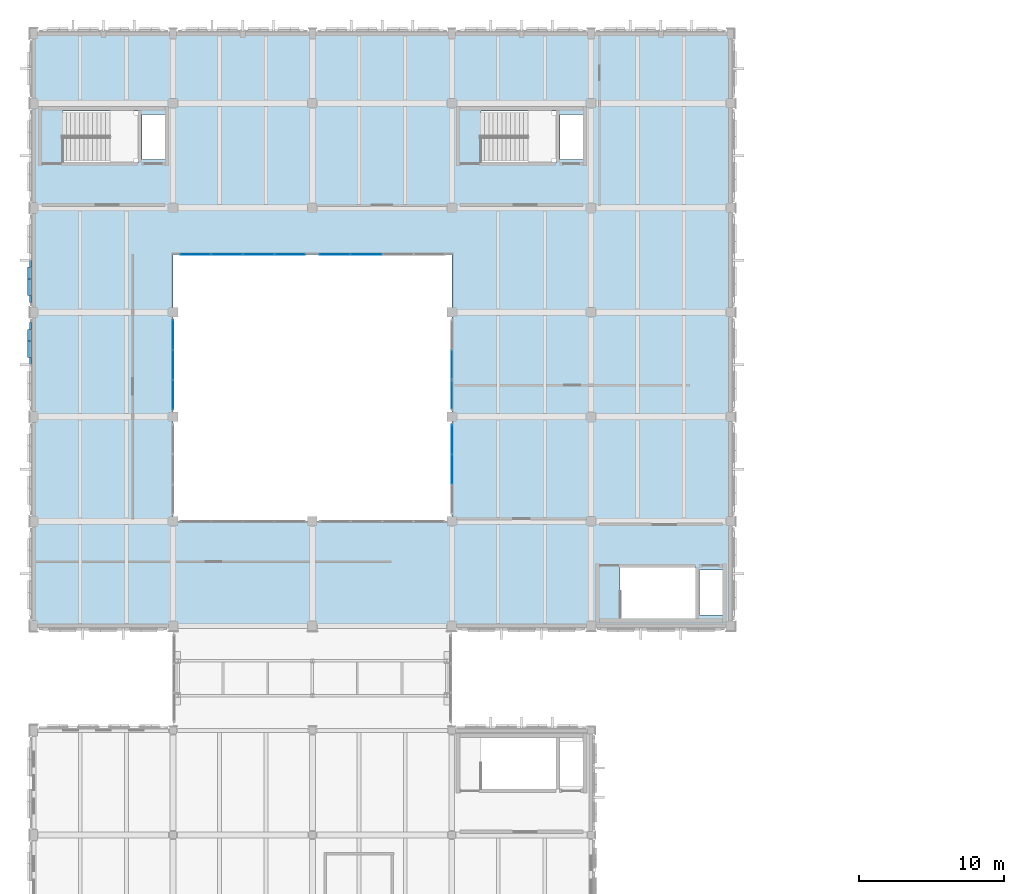
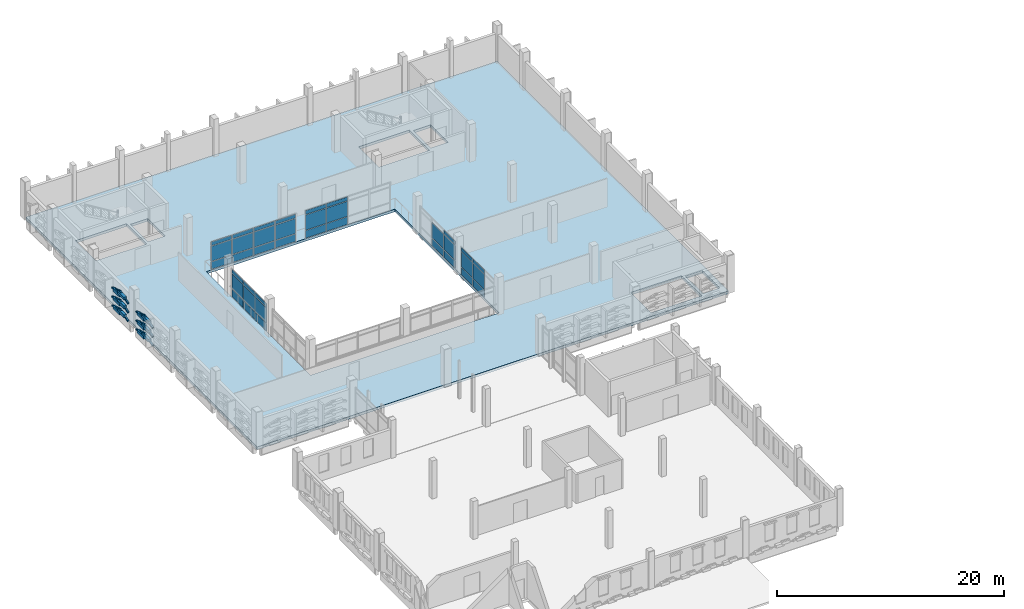
# One storey, part 40 of 72: 62 plates, 1 slab, 5 elements without a shape of their own.
"""IFC4 building model written with IfcOpenShell, lengths in metres."""

from ifc_helpers import new_model, si_unit, direction, frame, origin, origin_2d, place, context, subcontext, project, spatial, polyline, rectangle, hollow_rectangle, outline, extrude, material, layer, layer_set, material_profile, profile_set, type_object, element, aggregate, save


model = new_model("IFC4")

# Units and contexts
model_context = context("Model", 3, precision=1e-05, world=origin(), true_north=direction((0.0, 1.0)))
body_context = subcontext(model_context, "Body", "Model", "MODEL_VIEW")
ifc_project = project(units=[si_unit("LENGTHUNIT", "METRE"), si_unit("AREAUNIT", "SQUARE_METRE"), si_unit("VOLUMEUNIT", "CUBIC_METRE"), si_unit("PLANEANGLEUNIT", "RADIAN"), si_unit("MASSUNIT", "GRAM", prefix="KILO")], contexts=[model_context])

# Site, building, storey
site_placement = place(None, origin())
site = spatial("IfcSite", under=ifc_project, at=site_placement, CompositionType="ELEMENT")
building_placement = place(site_placement, origin())
building = spatial("IfcBuilding", under=site, at=building_placement, Name="Asteropetra Specialist Clinic", CompositionType="ELEMENT")
storey_placement = place(building_placement, frame((0.0, 0.0, 12.580078125)))
storey = spatial("IfcBuildingStorey", under=building, at=storey_placement, Name="L03", CompositionType="ELEMENT", Elevation=12.580078125)

# Plates
ifc_material_1 = material(Name="Chevron emerald aluminium 6063-T6", Category="aluminium")
ifc_material_profile = material_profile(ifc_material_1, hollow_rectangle(XDim=0.159912109375, YDim=0.159912109375, WallThickness=0.008056640625, InnerFilletRadius=0.008056640625, OuterFilletRadius=0.01611328125, at=origin_2d()), Name="SHS 160x160x8.0")
ifc_profile_set = profile_set([ifc_material_profile], Name="Chevron emerald aluminium 6063-T6")
plate_type_1 = type_object("IfcPlateType", Name="CHV-RIB-160", PredefinedType="SHEET", material=ifc_profile_set)
plate_1_placement = place(storey_placement, frame((-0.221923828125, 90.485107421875, 0.059814453125), z_axis=(0.0, -0.952507040007, 0.304516565619), x_axis=(1.0, 0.0, 0.0)))
element("IfcPlate", 1, at=plate_1_placement, inside=storey, type_object=plate_type_1, Name="Chevron Facade Screen Fin CVR-1389", PredefinedType="SHEET", context=body_context, shape_type="SweptSolid", body=[
    extrude(hollow_rectangle(XDim=0.159912109375, YDim=0.159912109375, WallThickness=0.008056640625, InnerFilletRadius=0.008056640625, OuterFilletRadius=0.01611328125, at=origin_2d()), origin(), (0.0, 0.0, 1.0), 1.504150390625),
])
plate_2_placement = place(storey_placement, frame((-0.221923828125, 89.052490234375, 0.517822265625), z_axis=(0.0, -0.952491984317, -0.304563654777), x_axis=(1.0, 0.0, 0.0)))
element("IfcPlate", 2, at=plate_2_placement, inside=storey, type_object=plate_type_1, Name="Chevron Facade Screen Fin CVR-1390", PredefinedType="SHEET", context=body_context, shape_type="SweptSolid", body=[
    extrude(hollow_rectangle(XDim=0.159912109375, YDim=0.159912109375, WallThickness=0.008056640625, InnerFilletRadius=0.008056640625, OuterFilletRadius=0.01611328125, at=origin_2d()), origin(), (0.0, 0.0, 1.0), 1.50390625),
])
plate_3_placement = place(storey_placement, frame((-0.221923828125, 90.485107421875, 1.02001953125), z_axis=(0.0, -0.952507040007, 0.304516565619), x_axis=(1.0, 0.0, 0.0)))
element("IfcPlate", 3, at=plate_3_placement, inside=storey, type_object=plate_type_1, Name="Chevron Facade Screen Fin CVR-1391", PredefinedType="SHEET", context=body_context, shape_type="SweptSolid", body=[
    extrude(hollow_rectangle(XDim=0.159912109375, YDim=0.159912109375, WallThickness=0.008056640625, InnerFilletRadius=0.008056640625, OuterFilletRadius=0.01611328125, at=origin_2d()), origin(), (0.0, 0.0, 1.0), 1.504150390625),
])
plate_4_placement = place(storey_placement, frame((-0.221923828125, 89.052490234375, 1.47802734375), z_axis=(0.0, -0.952491984317, -0.304563654777), x_axis=(1.0, 0.0, 0.0)))
element("IfcPlate", 4, at=plate_4_placement, inside=storey, type_object=plate_type_1, Name="Chevron Facade Screen Fin CVR-1392", PredefinedType="SHEET", context=body_context, shape_type="SweptSolid", body=[
    extrude(hollow_rectangle(XDim=0.159912109375, YDim=0.159912109375, WallThickness=0.008056640625, InnerFilletRadius=0.008056640625, OuterFilletRadius=0.01611328125, at=origin_2d()), origin(), (0.0, 0.0, 1.0), 1.50390625),
])
plate_5_placement = place(storey_placement, frame((-0.221923828125, 90.485107421875, 1.97998046875), z_axis=(0.0, -0.952507040007, 0.304516565619), x_axis=(1.0, 0.0, 0.0)))
element("IfcPlate", 5, at=plate_5_placement, inside=storey, type_object=plate_type_1, Name="Chevron Facade Screen Fin CVR-1393", PredefinedType="SHEET", context=body_context, shape_type="SweptSolid", body=[
    extrude(hollow_rectangle(XDim=0.159912109375, YDim=0.159912109375, WallThickness=0.008056640625, InnerFilletRadius=0.008056640625, OuterFilletRadius=0.01611328125, at=origin_2d()), origin(), (0.0, 0.0, 1.0), 1.504150390625),
])
plate_6_placement = place(storey_placement, frame((-0.221923828125, 89.052490234375, 2.43798828125), z_axis=(0.0, -0.952491984317, -0.304563654777), x_axis=(1.0, 0.0, 0.0)))
element("IfcPlate", 6, at=plate_6_placement, inside=storey, type_object=plate_type_1, Name="Chevron Facade Screen Fin CVR-1394", PredefinedType="SHEET", context=body_context, shape_type="SweptSolid", body=[
    extrude(hollow_rectangle(XDim=0.159912109375, YDim=0.159912109375, WallThickness=0.008056640625, InnerFilletRadius=0.008056640625, OuterFilletRadius=0.01611328125, at=origin_2d()), origin(), (0.0, 0.0, 1.0), 1.50390625),
])
plate_7_placement = place(storey_placement, frame((-0.221923828125, 94.780029296875, 0.059814453125), z_axis=(0.0, -0.952507040007, 0.304516565619), x_axis=(1.0, 0.0, 0.0)))
element("IfcPlate", 7, at=plate_7_placement, inside=storey, type_object=plate_type_1, Name="Chevron Facade Screen Fin CVR-1419", PredefinedType="SHEET", context=body_context, shape_type="SweptSolid", body=[
    extrude(hollow_rectangle(XDim=0.159912109375, YDim=0.159912109375, WallThickness=0.008056640625, InnerFilletRadius=0.008056640625, OuterFilletRadius=0.01611328125, at=origin_2d()), origin(), (0.0, 0.0, 1.0), 1.504150390625),
])
plate_8_placement = place(storey_placement, frame((-0.221923828125, 93.347412109375, 0.517822265625), z_axis=(0.0, -0.952491984317, -0.304563654777), x_axis=(1.0, 0.0, 0.0)))
element("IfcPlate", 8, at=plate_8_placement, inside=storey, type_object=plate_type_1, Name="Chevron Facade Screen Fin CVR-1420", PredefinedType="SHEET", context=body_context, shape_type="SweptSolid", body=[
    extrude(hollow_rectangle(XDim=0.159912109375, YDim=0.159912109375, WallThickness=0.008056640625, InnerFilletRadius=0.008056640625, OuterFilletRadius=0.01611328125, at=origin_2d()), origin(), (0.0, 0.0, 1.0), 1.50390625),
])
plate_9_placement = place(storey_placement, frame((-0.221923828125, 94.780029296875, 1.02001953125), z_axis=(0.0, -0.952507040007, 0.304516565619), x_axis=(1.0, 0.0, 0.0)))
element("IfcPlate", 9, at=plate_9_placement, inside=storey, type_object=plate_type_1, Name="Chevron Facade Screen Fin CVR-1421", PredefinedType="SHEET", context=body_context, shape_type="SweptSolid", body=[
    extrude(hollow_rectangle(XDim=0.159912109375, YDim=0.159912109375, WallThickness=0.008056640625, InnerFilletRadius=0.008056640625, OuterFilletRadius=0.01611328125, at=origin_2d()), origin(), (0.0, 0.0, 1.0), 1.504150390625),
])
plate_10_placement = place(storey_placement, frame((-0.221923828125, 93.347412109375, 1.47802734375), z_axis=(0.0, -0.952491984317, -0.304563654777), x_axis=(1.0, 0.0, 0.0)))
element("IfcPlate", 10, at=plate_10_placement, inside=storey, type_object=plate_type_1, Name="Chevron Facade Screen Fin CVR-1422", PredefinedType="SHEET", context=body_context, shape_type="SweptSolid", body=[
    extrude(hollow_rectangle(XDim=0.159912109375, YDim=0.159912109375, WallThickness=0.008056640625, InnerFilletRadius=0.008056640625, OuterFilletRadius=0.01611328125, at=origin_2d()), origin(), (0.0, 0.0, 1.0), 1.50390625),
])
plate_11_placement = place(storey_placement, frame((-0.221923828125, 94.780029296875, 1.97998046875), z_axis=(0.0, -0.952507040007, 0.304516565619), x_axis=(1.0, 0.0, 0.0)))
element("IfcPlate", 11, at=plate_11_placement, inside=storey, type_object=plate_type_1, Name="Chevron Facade Screen Fin CVR-1423", PredefinedType="SHEET", context=body_context, shape_type="SweptSolid", body=[
    extrude(hollow_rectangle(XDim=0.159912109375, YDim=0.159912109375, WallThickness=0.008056640625, InnerFilletRadius=0.008056640625, OuterFilletRadius=0.01611328125, at=origin_2d()), origin(), (0.0, 0.0, 1.0), 1.504150390625),
])
plate_12_placement = place(storey_placement, frame((-0.221923828125, 93.347412109375, 2.43798828125), z_axis=(0.0, -0.952491984317, -0.304563654777), x_axis=(1.0, 0.0, 0.0)))
element("IfcPlate", 12, at=plate_12_placement, inside=storey, type_object=plate_type_1, Name="Chevron Facade Screen Fin CVR-1424", PredefinedType="SHEET", context=body_context, shape_type="SweptSolid", body=[
    extrude(hollow_rectangle(XDim=0.159912109375, YDim=0.159912109375, WallThickness=0.008056640625, InnerFilletRadius=0.008056640625, OuterFilletRadius=0.01611328125, at=origin_2d()), origin(), (0.0, 0.0, 1.0), 1.50390625),
])

# Curtain wall, plates
ifc_material_2 = material(Name="Aluminium and low-E glass", Category="aluminium")
ifc_layer_1 = layer(ifc_material_2, 0.179931640625)
ifc_layer_set_1 = layer_set([ifc_layer_1], Name="Aluminium and low-E glass")
curtain_wall_type_1 = type_object("IfcCurtainWallType", Name="CW-SYS-04", PredefinedType="USERDEFINED", material=ifc_layer_set_1)
curtain_wall_1_placement = place(storey_placement, origin())
curtain_wall_1 = element("IfcCurtainWall", 13, at=curtain_wall_1_placement, inside=storey, type_object=curtain_wall_type_1, Name="Curtain Wall CW-044", ObjectType="UNITISED CURTAIN WALL", PredefinedType="USERDEFINED")
ifc_material_3 = material(Name="Low-E double glazing", Category="glass")
ifc_layer_2 = layer(ifc_material_3, 0.028076171875)
ifc_layer_set_2 = layer_set([ifc_layer_2], Name="Low-E double glazing")
plate_type_2 = type_object("IfcPlateType", Name="CWP-GLZ-28", PredefinedType="CURTAIN_PANEL", material=ifc_layer_set_2)
plate_13_placement = place(storey_placement, frame((22.909912109375, 95.199951171875, 0.059814453125), z_axis=(0.0, 0.0, 1.0), x_axis=(-1.0, 0.0, 0.0)))
plate_13 = element("IfcPlate", 14, at=plate_13_placement, type_object=plate_type_2, Name="CW-044 panel 3.1", PredefinedType="CURTAIN_PANEL", context=body_context, shape_type="SweptSolid", body=[
    extrude(rectangle(XDim=2.1201171875, YDim=0.028076171875, at=origin_2d()), origin(), (0.0, 0.0, 1.0), 0.81005859375),
])
plate_14_placement = place(storey_placement, frame((22.909912109375, 95.199951171875, 0.929931640625), z_axis=(0.0, 0.0, 1.0), x_axis=(-1.0, 0.0, 0.0)))
plate_14 = element("IfcPlate", 15, at=plate_14_placement, type_object=plate_type_2, Name="CW-044 panel 3.2", PredefinedType="CURTAIN_PANEL", context=body_context, shape_type="SweptSolid", body=[
    extrude(rectangle(XDim=2.1201171875, YDim=0.028076171875, at=origin_2d()), origin(), (0.0, 0.0, 1.0), 1.6201171875),
])
plate_15_placement = place(storey_placement, frame((22.909912109375, 95.199951171875, 2.60986328125), z_axis=(0.0, 0.0, 1.0), x_axis=(-1.0, 0.0, 0.0)))
plate_15 = element("IfcPlate", 16, at=plate_15_placement, type_object=plate_type_2, Name="CW-044 panel 3.3", PredefinedType="CURTAIN_PANEL", context=body_context, shape_type="SweptSolid", body=[
    extrude(rectangle(XDim=2.1201171875, YDim=0.028076171875, at=origin_2d()), origin(), (0.0, 0.0, 1.0), 0.409912109375),
])
plate_16_placement = place(storey_placement, frame((20.7451171875, 95.199951171875, 0.059814453125), z_axis=(0.0, 0.0, 1.0), x_axis=(-1.0, 0.0, 0.0)))
plate_16 = element("IfcPlate", 17, at=plate_16_placement, type_object=plate_type_2, Name="CW-044 panel 4.1", PredefinedType="CURTAIN_PANEL", context=body_context, shape_type="SweptSolid", body=[
    extrude(rectangle(XDim=2.090087890625, YDim=0.028076171875, at=origin_2d()), origin(), (0.0, 0.0, 1.0), 0.81005859375),
])
plate_17_placement = place(storey_placement, frame((20.7451171875, 95.199951171875, 0.929931640625), z_axis=(0.0, 0.0, 1.0), x_axis=(-1.0, 0.0, 0.0)))
plate_17 = element("IfcPlate", 18, at=plate_17_placement, type_object=plate_type_2, Name="CW-044 panel 4.2", PredefinedType="CURTAIN_PANEL", context=body_context, shape_type="SweptSolid", body=[
    extrude(rectangle(XDim=2.090087890625, YDim=0.028076171875, at=origin_2d()), origin(), (0.0, 0.0, 1.0), 1.6201171875),
])
plate_18_placement = place(storey_placement, frame((20.7451171875, 95.199951171875, 2.60986328125), z_axis=(0.0, 0.0, 1.0), x_axis=(-1.0, 0.0, 0.0)))
plate_18 = element("IfcPlate", 19, at=plate_18_placement, type_object=plate_type_2, Name="CW-044 panel 4.3", PredefinedType="CURTAIN_PANEL", context=body_context, shape_type="SweptSolid", body=[
    extrude(rectangle(XDim=2.090087890625, YDim=0.028076171875, at=origin_2d()), origin(), (0.0, 0.0, 1.0), 0.409912109375),
])
aggregate(curtain_wall_1, [plate_13, plate_14, plate_15, plate_16, plate_17, plate_18])

ifc_material_4 = material(Name="Aluminium and low-E glass", Category="aluminium")
ifc_layer_3 = layer(ifc_material_4, 0.135009765625)
ifc_layer_set_3 = layer_set([ifc_layer_3], Name="Aluminium and low-E glass")
curtain_wall_type_2 = type_object("IfcCurtainWallType", Name="CW-SYS-06", PredefinedType="USERDEFINED", material=ifc_layer_set_3)
curtain_wall_2_placement = place(storey_placement, origin())
curtain_wall_2 = element("IfcCurtainWall", 20, at=curtain_wall_2_placement, inside=storey, type_object=curtain_wall_type_2, Name="Curtain Wall CW-048", ObjectType="UNITISED CURTAIN WALL", PredefinedType="USERDEFINED")
plate_19_placement = place(storey_placement, frame((28.800048828125, 85.5419921875, 0.074951171875), z_axis=(0.0, 0.0, 1.0), x_axis=(0.0, 1.0, 0.0)))
plate_19 = element("IfcPlate", 21, at=plate_19_placement, type_object=plate_type_2, Name="CW-048 panel 1.1", PredefinedType="CURTAIN_PANEL", context=body_context, shape_type="SweptSolid", body=[
    extrude(rectangle(XDim=1.964111328125, YDim=0.028076171875, at=origin_2d()), origin(), (0.0, 0.0, 1.0), 0.78759765625),
])
plate_20_placement = place(storey_placement, frame((28.800048828125, 85.5419921875, 0.9375), z_axis=(0.0, 0.0, 1.0), x_axis=(0.0, 1.0, 0.0)))
plate_20 = element("IfcPlate", 22, at=plate_20_placement, type_object=plate_type_2, Name="CW-048 panel 1.2", PredefinedType="CURTAIN_PANEL", context=body_context, shape_type="SweptSolid", body=[
    extrude(rectangle(XDim=1.964111328125, YDim=0.028076171875, at=origin_2d()), origin(), (0.0, 0.0, 1.0), 1.60498046875),
])
plate_21_placement = place(storey_placement, frame((28.800048828125, 85.5419921875, 2.61767578125), z_axis=(0.0, 0.0, 1.0), x_axis=(0.0, 1.0, 0.0)))
plate_21 = element("IfcPlate", 23, at=plate_21_placement, type_object=plate_type_2, Name="CW-048 panel 1.3", PredefinedType="CURTAIN_PANEL", context=body_context, shape_type="SweptSolid", body=[
    extrude(rectangle(XDim=1.964111328125, YDim=0.028076171875, at=origin_2d()), origin(), (0.0, 0.0, 1.0), 0.387451171875),
])
plate_22_placement = place(storey_placement, frame((28.800048828125, 87.60009765625, 0.074951171875), z_axis=(0.0, 0.0, 1.0), x_axis=(0.0, 1.0, 0.0)))
plate_22 = element("IfcPlate", 24, at=plate_22_placement, type_object=plate_type_2, Name="CW-048 panel 2.1", PredefinedType="CURTAIN_PANEL", context=body_context, shape_type="SweptSolid", body=[
    extrude(rectangle(XDim=2.001708984375, YDim=0.028076171875, at=origin_2d()), origin(), (0.0, 0.0, 1.0), 0.78759765625),
])
plate_23_placement = place(storey_placement, frame((28.800048828125, 87.60009765625, 0.9375), z_axis=(0.0, 0.0, 1.0), x_axis=(0.0, 1.0, 0.0)))
plate_23 = element("IfcPlate", 25, at=plate_23_placement, type_object=plate_type_2, Name="CW-048 panel 2.2", PredefinedType="CURTAIN_PANEL", context=body_context, shape_type="SweptSolid", body=[
    extrude(rectangle(XDim=2.001708984375, YDim=0.028076171875, at=origin_2d()), origin(), (0.0, 0.0, 1.0), 1.60498046875),
])
aggregate(curtain_wall_2, [plate_19, plate_20, plate_21, plate_22, plate_23])

ifc_material_5 = material(Name="Aluminium and low-E glass", Category="aluminium")
ifc_layer_4 = layer(ifc_material_5, 0.135009765625)
ifc_layer_set_4 = layer_set([ifc_layer_4], Name="Aluminium and low-E glass")
curtain_wall_type_3 = type_object("IfcCurtainWallType", Name="CW-SYS-03", PredefinedType="USERDEFINED", material=ifc_layer_set_4)
curtain_wall_3_placement = place(storey_placement, origin())
curtain_wall_3 = element("IfcCurtainWall", 26, at=curtain_wall_3_placement, inside=storey, type_object=curtain_wall_type_3, Name="Curtain Wall CW-042", ObjectType="UNITISED CURTAIN WALL", PredefinedType="USERDEFINED")
ifc_material_6 = material(Name="Solar-control triple glazing", Category="glass")
ifc_layer_5 = layer(ifc_material_6, 0.035888671875)
ifc_layer_set_5 = layer_set([ifc_layer_5], Name="Solar-control triple glazing")
plate_type_3 = type_object("IfcPlateType", Name="CWP-GLZ-36", PredefinedType="CURTAIN_PANEL", material=ifc_layer_set_5)
plate_24_placement = place(storey_placement, frame((17.6513671875, 95.199951171875, 0.074951171875), z_axis=(0.0, 0.0, 1.0), x_axis=(-1.0, 0.0, 0.0)))
plate_24 = element("IfcPlate", 27, at=plate_24_placement, type_object=plate_type_3, Name="CW-042 panel 1.1", PredefinedType="CURTAIN_PANEL", context=body_context, shape_type="SweptSolid", body=[
    extrude(rectangle(XDim=2.0673828125, YDim=0.035888671875, at=origin_2d()), origin(), (0.0, 0.0, 1.0), 0.78759765625),
])
plate_25_placement = place(storey_placement, frame((17.6513671875, 95.199951171875, 0.9375), z_axis=(0.0, 0.0, 1.0), x_axis=(-1.0, 0.0, 0.0)))
plate_25 = element("IfcPlate", 28, at=plate_25_placement, type_object=plate_type_3, Name="CW-042 panel 1.2", PredefinedType="CURTAIN_PANEL", context=body_context, shape_type="SweptSolid", body=[
    extrude(rectangle(XDim=2.0673828125, YDim=0.035888671875, at=origin_2d()), origin(), (0.0, 0.0, 1.0), 1.60498046875),
])
plate_26_placement = place(storey_placement, frame((17.6513671875, 95.199951171875, 2.61767578125), z_axis=(0.0, 0.0, 1.0), x_axis=(-1.0, 0.0, 0.0)))
plate_26 = element("IfcPlate", 29, at=plate_26_placement, type_object=plate_type_3, Name="CW-042 panel 1.3", PredefinedType="CURTAIN_PANEL", context=body_context, shape_type="SweptSolid", body=[
    extrude(rectangle(XDim=2.0673828125, YDim=0.035888671875, at=origin_2d()), origin(), (0.0, 0.0, 1.0), 0.387451171875),
])
plate_27_placement = place(storey_placement, frame((15.489990234375, 95.199951171875, 0.074951171875), z_axis=(0.0, 0.0, 1.0), x_axis=(-1.0, 0.0, 0.0)))
plate_27 = element("IfcPlate", 30, at=plate_27_placement, type_object=plate_type_3, Name="CW-042 panel 2.1", PredefinedType="CURTAIN_PANEL", context=body_context, shape_type="SweptSolid", body=[
    extrude(rectangle(XDim=2.10498046875, YDim=0.035888671875, at=origin_2d()), origin(), (0.0, 0.0, 1.0), 0.78759765625),
])
plate_28_placement = place(storey_placement, frame((15.489990234375, 95.199951171875, 0.9375), z_axis=(0.0, 0.0, 1.0), x_axis=(-1.0, 0.0, 0.0)))
plate_28 = element("IfcPlate", 31, at=plate_28_placement, type_object=plate_type_3, Name="CW-042 panel 2.2", PredefinedType="CURTAIN_PANEL", context=body_context, shape_type="SweptSolid", body=[
    extrude(rectangle(XDim=2.10498046875, YDim=0.035888671875, at=origin_2d()), origin(), (0.0, 0.0, 1.0), 1.60498046875),
])
plate_29_placement = place(storey_placement, frame((15.489990234375, 95.199951171875, 2.61767578125), z_axis=(0.0, 0.0, 1.0), x_axis=(-1.0, 0.0, 0.0)))
plate_29 = element("IfcPlate", 32, at=plate_29_placement, type_object=plate_type_3, Name="CW-042 panel 2.3", PredefinedType="CURTAIN_PANEL", context=body_context, shape_type="SweptSolid", body=[
    extrude(rectangle(XDim=2.10498046875, YDim=0.035888671875, at=origin_2d()), origin(), (0.0, 0.0, 1.0), 0.387451171875),
])
plate_30_placement = place(storey_placement, frame((13.31005859375, 95.199951171875, 0.074951171875), z_axis=(0.0, 0.0, 1.0), x_axis=(-1.0, 0.0, 0.0)))
plate_30 = element("IfcPlate", 33, at=plate_30_placement, type_object=plate_type_3, Name="CW-042 panel 3.1", PredefinedType="CURTAIN_PANEL", context=body_context, shape_type="SweptSolid", body=[
    extrude(rectangle(XDim=2.10498046875, YDim=0.035888671875, at=origin_2d()), origin(), (0.0, 0.0, 1.0), 0.78759765625),
])
plate_31_placement = place(storey_placement, frame((13.31005859375, 95.199951171875, 0.9375), z_axis=(0.0, 0.0, 1.0), x_axis=(-1.0, 0.0, 0.0)))
plate_31 = element("IfcPlate", 34, at=plate_31_placement, type_object=plate_type_3, Name="CW-042 panel 3.2", PredefinedType="CURTAIN_PANEL", context=body_context, shape_type="SweptSolid", body=[
    extrude(rectangle(XDim=2.10498046875, YDim=0.035888671875, at=origin_2d()), origin(), (0.0, 0.0, 1.0), 1.60498046875),
])
plate_32_placement = place(storey_placement, frame((13.31005859375, 95.199951171875, 2.61767578125), z_axis=(0.0, 0.0, 1.0), x_axis=(-1.0, 0.0, 0.0)))
plate_32 = element("IfcPlate", 35, at=plate_32_placement, type_object=plate_type_3, Name="CW-042 panel 3.3", PredefinedType="CURTAIN_PANEL", context=body_context, shape_type="SweptSolid", body=[
    extrude(rectangle(XDim=2.10498046875, YDim=0.035888671875, at=origin_2d()), origin(), (0.0, 0.0, 1.0), 0.387451171875),
])
plate_33_placement = place(storey_placement, frame((11.148681640625, 95.199951171875, 0.074951171875), z_axis=(0.0, 0.0, 1.0), x_axis=(-1.0, 0.0, 0.0)))
plate_33 = element("IfcPlate", 36, at=plate_33_placement, type_object=plate_type_3, Name="CW-042 panel 4.1", PredefinedType="CURTAIN_PANEL", context=body_context, shape_type="SweptSolid", body=[
    extrude(rectangle(XDim=2.0673828125, YDim=0.035888671875, at=origin_2d()), origin(), (0.0, 0.0, 1.0), 0.78759765625),
])
plate_34_placement = place(storey_placement, frame((11.148681640625, 95.199951171875, 0.9375), z_axis=(0.0, 0.0, 1.0), x_axis=(-1.0, 0.0, 0.0)))
plate_34 = element("IfcPlate", 37, at=plate_34_placement, type_object=plate_type_3, Name="CW-042 panel 4.2", PredefinedType="CURTAIN_PANEL", context=body_context, shape_type="SweptSolid", body=[
    extrude(rectangle(XDim=2.0673828125, YDim=0.035888671875, at=origin_2d()), origin(), (0.0, 0.0, 1.0), 1.60498046875),
])
plate_35_placement = place(storey_placement, frame((11.148681640625, 95.199951171875, 2.61767578125), z_axis=(0.0, 0.0, 1.0), x_axis=(-1.0, 0.0, 0.0)))
plate_35 = element("IfcPlate", 38, at=plate_35_placement, type_object=plate_type_3, Name="CW-042 panel 4.3", PredefinedType="CURTAIN_PANEL", context=body_context, shape_type="SweptSolid", body=[
    extrude(rectangle(XDim=2.0673828125, YDim=0.035888671875, at=origin_2d()), origin(), (0.0, 0.0, 1.0), 0.387451171875),
])
aggregate(curtain_wall_3, [plate_24, plate_25, plate_26, plate_27, plate_28, plate_29, plate_30, plate_31, plate_32, plate_33, plate_34, plate_35])

ifc_material_7 = material(Name="Aluminium and low-E glass", Category="aluminium")
ifc_layer_6 = layer(ifc_material_7, 0.14990234375)
ifc_layer_set_6 = layer_set([ifc_layer_6], Name="Aluminium and low-E glass")
curtain_wall_type_4 = type_object("IfcCurtainWallType", Name="CW-SYS-05", PredefinedType="USERDEFINED", material=ifc_layer_set_6)
curtain_wall_4_placement = place(storey_placement, origin())
curtain_wall_4 = element("IfcCurtainWall", 39, at=curtain_wall_4_placement, inside=storey, type_object=curtain_wall_type_4, Name="Curtain Wall CW-046", ObjectType="UNITISED CURTAIN WALL", PredefinedType="USERDEFINED")
plate_36_placement = place(storey_placement, frame((28.800048828125, 80.39990234375, 0.06494140625), z_axis=(0.0, 0.0, 1.0), x_axis=(0.0, 1.0, 0.0)))
plate_36 = element("IfcPlate", 40, at=plate_36_placement, type_object=plate_type_3, Name="CW-046 panel 2.1", PredefinedType="CURTAIN_PANEL", context=body_context, shape_type="SweptSolid", body=[
    extrude(rectangle(XDim=2.01171875, YDim=0.035888671875, at=origin_2d()), origin(), (0.0, 0.0, 1.0), 0.802490234375),
])
plate_37_placement = place(storey_placement, frame((28.800048828125, 80.39990234375, 0.9326171875), z_axis=(0.0, 0.0, 1.0), x_axis=(0.0, 1.0, 0.0)))
plate_37 = element("IfcPlate", 41, at=plate_37_placement, type_object=plate_type_3, Name="CW-046 panel 2.2", PredefinedType="CURTAIN_PANEL", context=body_context, shape_type="SweptSolid", body=[
    extrude(rectangle(XDim=2.01171875, YDim=0.035888671875, at=origin_2d()), origin(), (0.0, 0.0, 1.0), 1.614990234375),
])
plate_38_placement = place(storey_placement, frame((28.800048828125, 80.39990234375, 2.6123046875), z_axis=(0.0, 0.0, 1.0), x_axis=(0.0, 1.0, 0.0)))
plate_38 = element("IfcPlate", 42, at=plate_38_placement, type_object=plate_type_3, Name="CW-046 panel 2.3", PredefinedType="CURTAIN_PANEL", context=body_context, shape_type="SweptSolid", body=[
    extrude(rectangle(XDim=2.01171875, YDim=0.035888671875, at=origin_2d()), origin(), (0.0, 0.0, 1.0), 0.402587890625),
])
plate_39_placement = place(storey_placement, frame((28.800048828125, 82.46044921875, 0.06494140625), z_axis=(0.0, 0.0, 1.0), x_axis=(0.0, 1.0, 0.0)))
plate_39 = element("IfcPlate", 43, at=plate_39_placement, type_object=plate_type_3, Name="CW-046 panel 3.1", PredefinedType="CURTAIN_PANEL", context=body_context, shape_type="SweptSolid", body=[
    extrude(rectangle(XDim=1.979248046875, YDim=0.035888671875, at=origin_2d()), origin(), (0.0, 0.0, 1.0), 0.802490234375),
])
plate_40_placement = place(storey_placement, frame((28.800048828125, 82.46044921875, 0.9326171875), z_axis=(0.0, 0.0, 1.0), x_axis=(0.0, 1.0, 0.0)))
plate_40 = element("IfcPlate", 44, at=plate_40_placement, type_object=plate_type_3, Name="CW-046 panel 3.2", PredefinedType="CURTAIN_PANEL", context=body_context, shape_type="SweptSolid", body=[
    extrude(rectangle(XDim=1.979248046875, YDim=0.035888671875, at=origin_2d()), origin(), (0.0, 0.0, 1.0), 1.614990234375),
])
plate_41_placement = place(storey_placement, frame((28.800048828125, 82.46044921875, 2.6123046875), z_axis=(0.0, 0.0, 1.0), x_axis=(0.0, 1.0, 0.0)))
plate_41 = element("IfcPlate", 45, at=plate_41_placement, type_object=plate_type_3, Name="CW-046 panel 3.3", PredefinedType="CURTAIN_PANEL", context=body_context, shape_type="SweptSolid", body=[
    extrude(rectangle(XDim=1.979248046875, YDim=0.035888671875, at=origin_2d()), origin(), (0.0, 0.0, 1.0), 0.402587890625),
])
aggregate(curtain_wall_4, [plate_36, plate_37, plate_38, plate_39, plate_40, plate_41])

curtain_wall_5_placement = place(storey_placement, origin())
curtain_wall_5 = element("IfcCurtainWall", 46, at=curtain_wall_5_placement, inside=storey, type_object=curtain_wall_type_4, Name="Curtain Wall CW-047", ObjectType="UNITISED CURTAIN WALL", PredefinedType="USERDEFINED")
ifc_material_8 = material(Name="Laminated skylight glazing", Category="glass")
ifc_layer_7 = layer(ifc_material_8, 0.0400390625)
ifc_layer_set_7 = layer_set([ifc_layer_7], Name="Laminated skylight glazing")
plate_type_4 = type_object("IfcPlateType", Name="CWP-GLZ-40", PredefinedType="CURTAIN_PANEL", material=ifc_layer_set_7)
plate_42_placement = place(storey_placement, frame((9.60009765625, 89.66162109375, 0.059814453125), z_axis=(0.0, 0.0, 1.0), x_axis=(0.0, -1.0, 0.0)))
plate_42 = element("IfcPlate", 47, at=plate_42_placement, type_object=plate_type_4, Name="CW-047 panel 1.1", PredefinedType="CURTAIN_PANEL", context=body_context, shape_type="SweptSolid", body=[
    extrude(rectangle(XDim=1.986572265625, YDim=0.0400390625, at=origin_2d()), origin(), (0.0, 0.0, 1.0), 0.81005859375),
])
plate_43_placement = place(storey_placement, frame((9.60009765625, 89.66162109375, 0.929931640625), z_axis=(0.0, 0.0, 1.0), x_axis=(0.0, -1.0, 0.0)))
plate_43 = element("IfcPlate", 48, at=plate_43_placement, type_object=plate_type_4, Name="CW-047 panel 1.2", PredefinedType="CURTAIN_PANEL", context=body_context, shape_type="SweptSolid", body=[
    extrude(rectangle(XDim=1.986572265625, YDim=0.0400390625, at=origin_2d()), origin(), (0.0, 0.0, 1.0), 1.6201171875),
])
plate_44_placement = place(storey_placement, frame((9.60009765625, 89.66162109375, 2.60986328125), z_axis=(0.0, 0.0, 1.0), x_axis=(0.0, -1.0, 0.0)))
plate_44 = element("IfcPlate", 49, at=plate_44_placement, type_object=plate_type_4, Name="CW-047 panel 1.3", PredefinedType="CURTAIN_PANEL", context=body_context, shape_type="SweptSolid", body=[
    extrude(rectangle(XDim=1.986572265625, YDim=0.0400390625, at=origin_2d()), origin(), (0.0, 0.0, 1.0), 0.409912109375),
])
plate_45_placement = place(storey_placement, frame((9.60009765625, 87.60009765625, 0.059814453125), z_axis=(0.0, 0.0, 1.0), x_axis=(0.0, -1.0, 0.0)))
plate_45 = element("IfcPlate", 50, at=plate_45_placement, type_object=plate_type_4, Name="CW-047 panel 2.1", PredefinedType="CURTAIN_PANEL", context=body_context, shape_type="SweptSolid", body=[
    extrude(rectangle(XDim=2.0166015625, YDim=0.0400390625, at=origin_2d()), origin(), (0.0, 0.0, 1.0), 0.81005859375),
])
plate_46_placement = place(storey_placement, frame((9.60009765625, 87.60009765625, 0.929931640625), z_axis=(0.0, 0.0, 1.0), x_axis=(0.0, -1.0, 0.0)))
plate_46 = element("IfcPlate", 51, at=plate_46_placement, type_object=plate_type_4, Name="CW-047 panel 2.2", PredefinedType="CURTAIN_PANEL", context=body_context, shape_type="SweptSolid", body=[
    extrude(rectangle(XDim=2.0166015625, YDim=0.0400390625, at=origin_2d()), origin(), (0.0, 0.0, 1.0), 1.6201171875),
])
plate_47_placement = place(storey_placement, frame((9.60009765625, 87.60009765625, 2.60986328125), z_axis=(0.0, 0.0, 1.0), x_axis=(0.0, -1.0, 0.0)))
plate_47 = element("IfcPlate", 52, at=plate_47_placement, type_object=plate_type_4, Name="CW-047 panel 2.3", PredefinedType="CURTAIN_PANEL", context=body_context, shape_type="SweptSolid", body=[
    extrude(rectangle(XDim=2.0166015625, YDim=0.0400390625, at=origin_2d()), origin(), (0.0, 0.0, 1.0), 0.409912109375),
])
plate_48_placement = place(storey_placement, frame((9.60009765625, 85.538330078125, 0.059814453125), z_axis=(0.0, 0.0, 1.0), x_axis=(0.0, -1.0, 0.0)))
plate_48 = element("IfcPlate", 53, at=plate_48_placement, type_object=plate_type_4, Name="CW-047 panel 3.1", PredefinedType="CURTAIN_PANEL", context=body_context, shape_type="SweptSolid", body=[
    extrude(rectangle(XDim=1.986572265625, YDim=0.0400390625, at=origin_2d()), origin(), (0.0, 0.0, 1.0), 0.81005859375),
])
plate_49_placement = place(storey_placement, frame((9.60009765625, 85.538330078125, 0.929931640625), z_axis=(0.0, 0.0, 1.0), x_axis=(0.0, -1.0, 0.0)))
plate_49 = element("IfcPlate", 54, at=plate_49_placement, type_object=plate_type_4, Name="CW-047 panel 3.2", PredefinedType="CURTAIN_PANEL", context=body_context, shape_type="SweptSolid", body=[
    extrude(rectangle(XDim=1.986572265625, YDim=0.0400390625, at=origin_2d()), origin(), (0.0, 0.0, 1.0), 1.6201171875),
])
plate_50_placement = place(storey_placement, frame((9.60009765625, 85.538330078125, 2.60986328125), z_axis=(0.0, 0.0, 1.0), x_axis=(0.0, -1.0, 0.0)))
plate_50 = element("IfcPlate", 55, at=plate_50_placement, type_object=plate_type_4, Name="CW-047 panel 3.3", PredefinedType="CURTAIN_PANEL", context=body_context, shape_type="SweptSolid", body=[
    extrude(rectangle(XDim=1.986572265625, YDim=0.0400390625, at=origin_2d()), origin(), (0.0, 0.0, 1.0), 0.409912109375),
])
aggregate(curtain_wall_5, [plate_42, plate_43, plate_44, plate_45, plate_46, plate_47, plate_48, plate_49, plate_50])

# Plates
ifc_material_9 = material(Name="Aluminium 6063-T6", Category="aluminium")
ifc_layer_8 = layer(ifc_material_9, 0.139892578125)
ifc_layer_set_8 = layer_set([ifc_layer_8], Name="Aluminium 6063-T6")
plate_type_5 = type_object("IfcPlateType", Name="PLT-CHV-TILE", PredefinedType="SHEET", material=ifc_layer_set_8)
for number, where, z_axis, x_axis, name in (
    (56, (-0.280029296875, 89.45361328125, 0.04736328125), (0.0, 0.0, 1.0), (1.0, 0.0, 0.0), "Chevron Ceramic Panel CPT-1083"),
    (57, (-0.280029296875, 88.6513671875, 0.22119140625), (0.0, 0.0, 1.0), (1.0, 0.0, 0.0), "Chevron Ceramic Panel CPT-1084"),
    (58, (-0.280029296875, 89.45361328125, 1.00732421875), (0.0, 0.0, 1.0), (1.0, 0.0, 0.0), "Chevron Ceramic Panel CPT-1085"),
    (59, (-0.280029296875, 88.6513671875, 1.18115234375), (0.0, 0.0, 1.0), (1.0, 0.0, 0.0), "Chevron Ceramic Panel CPT-1086"),
    (60, (-0.280029296875, 89.45361328125, 1.96728515625), (0.0, 0.0, 1.0), (1.0, 0.0, 0.0), "Chevron Ceramic Panel CPT-1087"),
    (61, (-0.280029296875, 88.6513671875, 2.14111328125), (0.0, 0.0, 1.0), (1.0, 0.0, 0.0), "Chevron Ceramic Panel CPT-1088"),
    (62, (-0.280029296875, 93.74853515625, 0.04736328125), (0.0, 0.0, 1.0), (1.0, 0.0, 0.0), "Chevron Ceramic Panel CPT-1113"),
    (63, (-0.280029296875, 92.9462890625, 0.22119140625), (0.0, 0.0, 1.0), (1.0, 0.0, 0.0), "Chevron Ceramic Panel CPT-1114"),
    (64, (-0.280029296875, 93.74853515625, 1.00732421875), (0.0, 0.0, 1.0), (1.0, 0.0, 0.0), "Chevron Ceramic Panel CPT-1115"),
    (65, (-0.280029296875, 92.9462890625, 1.18115234375), (0.0, 0.0, 1.0), (1.0, 0.0, 0.0), "Chevron Ceramic Panel CPT-1116"),
    (66, (-0.280029296875, 93.74853515625, 1.96728515625), (0.0, 0.0, 1.0), (1.0, 0.0, 0.0), "Chevron Ceramic Panel CPT-1117"),
    (67, (-0.280029296875, 92.9462890625, 2.14111328125), (0.0, 0.0, 1.0), (1.0, 0.0, 0.0), "Chevron Ceramic Panel CPT-1118"),
):
    element("IfcPlate", number, at=place(storey_placement, frame(where, z_axis=z_axis, x_axis=x_axis)), inside=storey, type_object=plate_type_5, Name=name, PredefinedType="SHEET", context=body_context, shape_type="SweptSolid", body=[
        extrude(rectangle(XDim=0.280029296875, YDim=1.14599609375, at=origin_2d()), origin(), (0.0, 0.0, 1.0), 0.300048828125),
    ])

# Slab
ifc_material_10 = material(Name="Concrete C35/45", Category="concrete")
ifc_layer_9 = layer(ifc_material_10, 0.280029296875)
ifc_layer_set_9 = layer_set([ifc_layer_9], Name="Concrete C35/45")
slab_type = type_object("IfcSlabType", Name="SLB-FLR-280", PredefinedType="FLOOR", material=ifc_layer_set_9)
slab_placement = place(storey_placement, frame((0.0, 0.0, -0.280029296875)))
element("IfcSlab", 68, at=slab_placement, inside=storey, type_object=slab_type, Name="Slab V4 L03", PredefinedType="FLOOR", context=body_context, shape_type="SweptSolid", body=[
    extrude(outline(polyline([(0.0, 69.60009765625), (48.0, 69.60009765625), (48.0, 110.39990234375), (0.0, 110.39990234375), (0.0, 69.60009765625)]), holes=[polyline([(9.60009765625, 76.800048828125), (28.800048828125, 76.800048828125), (28.800048828125, 95.199951171875), (9.60009765625, 95.199951171875), (9.60009765625, 76.800048828125)]), polyline([(2.0, 101.5), (7.179931640625, 101.5), (7.179931640625, 105.080078125), (2.0, 105.080078125), (2.0, 101.5)]), polyline([(7.449951171875, 101.75), (9.199951171875, 101.75), (9.199951171875, 104.830078125), (7.449951171875, 104.830078125), (7.449951171875, 101.75)]), polyline([(30.800048828125, 101.5), (35.97998046875, 101.5), (35.97998046875, 105.080078125), (30.800048828125, 105.080078125), (30.800048828125, 101.5)]), polyline([(36.25, 101.75), (38.0, 101.75), (38.0, 104.830078125), (36.25, 104.830078125), (36.25, 101.75)]), polyline([(40.39990234375, 70.1201171875), (45.580078125, 70.1201171875), (45.580078125, 73.699951171875), (40.39990234375, 73.699951171875), (40.39990234375, 70.1201171875)]), polyline([(45.85009765625, 70.3701171875), (47.550048828125, 70.3701171875), (47.550048828125, 73.449951171875), (45.85009765625, 73.449951171875), (45.85009765625, 70.3701171875)])]), origin(), (0.0, 0.0, 1.0), 0.280029296875),
])

save(model, "model.ifc")
